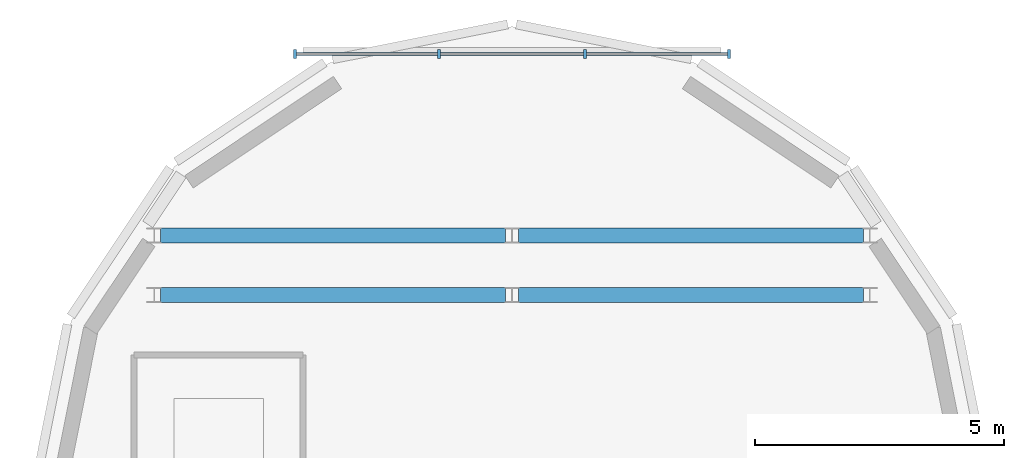
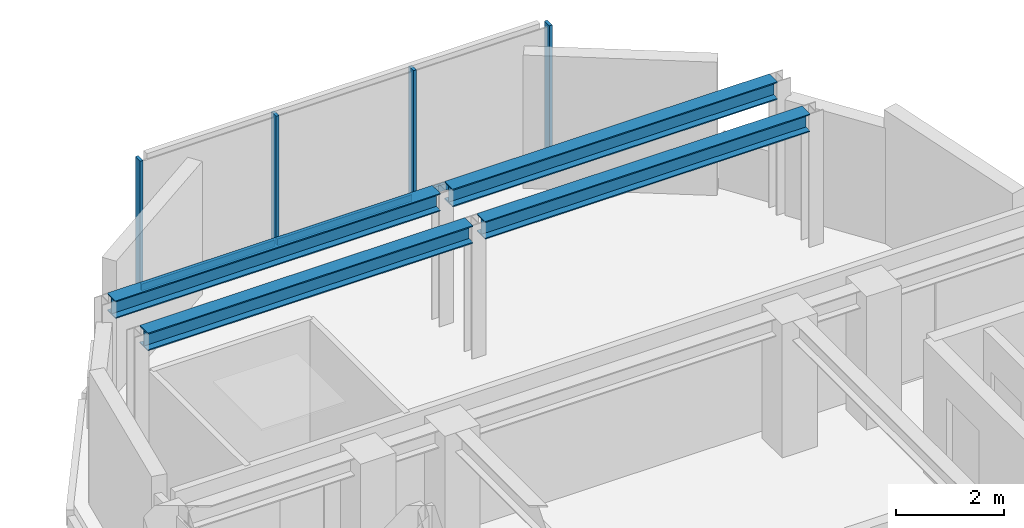
# One storey, part 5 of 10: 7 members, 4 beams, 1 element without a shape of its own.
"""IFC4 building model written with IfcOpenShell, lengths in metres."""

import ifcopenshell
import ifcopenshell.guid

model = None  # the IFC model being written
_history = None  # IfcOwnerHistory: only IFC2X3 demands one
_inside = {}  # id of a spatial element -> (the spatial element, [elements in it])
_under = {}  # id of a project, library or spatial element -> (it, [spatial elements below it])
_declared = {}  # id of a project -> (the project, [libraries it declares])
_typed = {}  # id of a type object -> (the type object, [elements of that type])
_made_of = {}  # id of a material, layer set ... -> (it, [elements and type objects made of it])


def new_model(schema):
    """Start an empty IFC model of exactly this schema.

    Asked for "IFC4X3", IfcOpenShell would pick the latest addendum, in which some entities
    have other attributes; the version numbers below select the first issue.
    IFC2X3 requires an IfcOwnerHistory on every rooted entity: one is made here for all.
    """
    global model, _history
    if schema == "IFC4X3":
        model = ifcopenshell.file(schema_version=(4, 3, 0, 0))
    else:
        model = ifcopenshell.file(schema=schema)
    _inside.clear()
    _under.clear()
    _declared.clear()
    _typed.clear()
    _made_of.clear()
    _history = None
    if model.schema == "IFC2X3":
        org = make("IfcOrganization", Name="unknown")
        user = make(
            "IfcPersonAndOrganization",
            ThePerson=make("IfcPerson", FamilyName="unknown"),
            TheOrganization=org,
        )
        app = make(
            "IfcApplication",
            ApplicationDeveloper=org,
            Version="unknown",
            ApplicationFullName="unknown",
            ApplicationIdentifier="unknown",
        )
        _history = make(
            "IfcOwnerHistory",
            OwningUser=user,
            OwningApplication=app,
            ChangeAction="ADDED",
            CreationDate=0,
        )
    return model


def make(cls, **values):
    """One entity of the class cls with the attributes given. An attribute that is None is left unset."""
    return model.create_entity(
        cls, **{name: value for name, value in values.items() if value is not None}
    )


def rooted(cls, **values):
    """An entity with a GlobalId (a new one), such as an element, a storey or a relation."""
    return make(cls, GlobalId=ifcopenshell.guid.new(), OwnerHistory=_history, **values)


def si_unit(unit_type, name, prefix=None):
    """IfcSIUnit, for example si_unit("LENGTHUNIT", "METRE", prefix="MILLI")."""
    return make("IfcSIUnit", UnitType=unit_type, Prefix=prefix, Name=name)


def assignment(units):
    """IfcUnitAssignment: the units of a project."""
    return None if units is None else make("IfcUnitAssignment", Units=units)


def point(xyz):
    """IfcCartesianPoint."""
    return None if xyz is None else make("IfcCartesianPoint", Coordinates=xyz)


def direction(xyz):
    """IfcDirection."""
    return None if xyz is None else make("IfcDirection", DirectionRatios=xyz)


def frame(location, z_axis=None, x_axis=None):
    """IfcAxis2Placement3D, a coordinate frame: its origin and axes. An axis left out is left unset."""
    return make(
        "IfcAxis2Placement3D",
        Location=point(location),
        Axis=direction(z_axis),
        RefDirection=direction(x_axis),
    )


def frame_2d(location, x_axis=None):
    """IfcAxis2Placement2D, a coordinate frame in the plane: its origin and x axis."""
    return make(
        "IfcAxis2Placement2D", Location=point(location), RefDirection=direction(x_axis)
    )


def origin():
    """The frame at (0, 0, 0) with its axes left unset."""
    return frame((0.0, 0.0, 0.0))


def origin_2d():
    """The frame at (0, 0) in the plane with its x axis left unset."""
    return frame_2d((0.0, 0.0))


def place(relative_to, where):
    """IfcLocalPlacement: puts the frame where relative to a parent placement (None: the world)."""
    return make(
        "IfcLocalPlacement", PlacementRelTo=relative_to, RelativePlacement=where
    )


def context(
    kind, dimensions, precision=None, world=None, true_north=None, identifier=None
):
    """IfcGeometricRepresentationContext, for example the 3D "Model" context."""
    return make(
        "IfcGeometricRepresentationContext",
        ContextIdentifier=identifier,
        ContextType=kind,
        CoordinateSpaceDimension=dimensions,
        Precision=precision,
        WorldCoordinateSystem=world,
        TrueNorth=true_north,
    )


def subcontext(parent, identifier, kind, view, scale=None):
    """IfcGeometricRepresentationSubContext, for example "Body" below "Model"."""
    return make(
        "IfcGeometricRepresentationSubContext",
        ContextIdentifier=identifier,
        ContextType=kind,
        ParentContext=parent,
        TargetScale=scale,
        TargetView=view,
    )


def project(units=None, contexts=None):
    """IfcProject with its units and contexts."""
    return rooted(
        "IfcProject",
        Name="project",
        RepresentationContexts=contexts,
        UnitsInContext=assignment(units),
    )


def spatial(cls, under=None, at=None, **own):
    """A site, building, storey or space (cls), placed at a placement, below another one or the project."""
    s = rooted(cls, ObjectPlacement=at, **own)
    if under is not None:
        _under.setdefault(under.id(), (under, []))[1].append(s)
    return s


def profile(cls, at=None, kind="AREA", **sizes):
    """A parametric profile (cls). Its sizes go by their IFC names, for example OverallWidth=200.0."""
    return make(cls, ProfileType=kind, Position=at, **sizes)


def rectangle(**sizes):
    """IfcRectangleProfileDef."""
    return profile("IfcRectangleProfileDef", **sizes)


def i_section(**sizes):
    """IfcIShapeProfileDef."""
    return profile("IfcIShapeProfileDef", **sizes)


def extrude(swept, where, along, depth):
    """IfcExtrudedAreaSolid: the profile swept, set in the frame where, extruded along a direction by depth."""
    return make(
        "IfcExtrudedAreaSolid",
        SweptArea=swept,
        Position=where,
        ExtrudedDirection=direction(along),
        Depth=depth,
    )


def shape(context_of_items, identifier, shape_type, items):
    """IfcShapeRepresentation: the items that make up one representation, for example the "Body"."""
    return make(
        "IfcShapeRepresentation",
        ContextOfItems=context_of_items,
        RepresentationIdentifier=identifier,
        RepresentationType=shape_type,
        Items=items,
    )


def source(mapping_origin, context_of_items, identifier, shape_type, items):
    """IfcRepresentationMap: a shape defined once, which mapped items show again and again."""
    return make(
        "IfcRepresentationMap",
        MappingOrigin=mapping_origin,
        MappedRepresentation=shape(context_of_items, identifier, shape_type, items),
    )


def transform(
    local_origin,
    x_axis=None,
    y_axis=None,
    z_axis=None,
    scale=None,
    scale2=None,
    scale3=None,
    uniform=True,
):
    """IfcCartesianTransformationOperator3D, or its non-uniform kind. x_axis, y_axis, z_axis: its Axis1, 2, 3."""
    if uniform:
        return make(
            "IfcCartesianTransformationOperator3D",
            Axis1=direction(x_axis),
            Axis2=direction(y_axis),
            LocalOrigin=point(local_origin),
            Scale=scale,
            Axis3=direction(z_axis),
        )
    return make(
        "IfcCartesianTransformationOperator3DnonUniform",
        Axis1=direction(x_axis),
        Axis2=direction(y_axis),
        LocalOrigin=point(local_origin),
        Scale=scale,
        Axis3=direction(z_axis),
        Scale2=scale2,
        Scale3=scale3,
    )


def mapped(mapping_source, mapping_target):
    """IfcMappedItem: shows the shape of a source again, moved by a transform."""
    return make(
        "IfcMappedItem", MappingSource=mapping_source, MappingTarget=mapping_target
    )


def material(Name=None, Category=None):
    """IfcMaterial."""
    return make("IfcMaterial", Name=Name, Category=Category)


def material_profile(
    of_material, cross_section, Name=None, Category=None, Priority=None
):
    """IfcMaterialProfile: a cross section and its material."""
    return make(
        "IfcMaterialProfile",
        Name=Name,
        Material=of_material,
        Profile=cross_section,
        Priority=Priority,
        Category=Category,
    )


def profile_set(profiles, Name=None, composite=None):
    """IfcMaterialProfileSet."""
    return make(
        "IfcMaterialProfileSet",
        Name=Name,
        MaterialProfiles=profiles,
        CompositeProfile=composite,
    )


def made_of(thing, what):
    """Note that an element or type object is made of a material, layer set ...; save() writes the relation."""
    if what is not None:
        _made_of.setdefault(what.id(), (what, []))[1].append(thing)
    return thing


def type_object(cls, material=None, **own):
    """A type object (cls), such as IfcWallType, which elements share."""
    return made_of(rooted(cls, **own), material)


def element(
    cls,
    number,
    at=None,
    inside=None,
    cuts=None,
    type_object=None,
    material=None,
    context=None,
    identifier="Body",
    shape_type=None,
    held_by="IfcProductDefinitionShape",
    body=None,
    shapes=None,
    **own,
):
    """One element of the class cls, such as IfcWall. Its Tag is "e" and its number.

    at: its placement. inside: the storey or other place that contains it. cuts: it is an
    opening in that element (IfcRelVoidsElement). A single representation is given by context,
    identifier, shape_type and body (its items); several are given by shapes. held_by: the class
    of the entity that holds the representations. save() writes the other relations.
    """
    e = rooted(cls, Tag="e%d" % number, ObjectPlacement=at, **own)
    if body is not None:
        shapes = [shape(context, identifier, shape_type, body)]
    if shapes is not None:
        e.Representation = make(held_by, Representations=shapes)
    if inside is not None:
        _inside.setdefault(inside.id(), (inside, []))[1].append(e)
    if cuts is not None:
        rooted(
            "IfcRelVoidsElement", RelatingBuildingElement=cuts, RelatedOpeningElement=e
        )
    if type_object is not None:
        _typed.setdefault(type_object.id(), (type_object, []))[1].append(e)
    return made_of(e, material)


def aggregate(whole, parts):
    """IfcRelAggregates: a whole, such as a stair, and the parts it consists of."""
    return rooted("IfcRelAggregates", RelatingObject=whole, RelatedObjects=parts)


def save(model, path):
    """Write the relations noted so far, then the file.

    IfcRelAggregates (storeys below a building ...), IfcRelContainedInSpatialStructure (elements
    in a storey), IfcRelDefinesByType, IfcRelAssociatesMaterial and IfcRelDeclares: one each for
    every whole, place, type object, material and project.
    """
    for whole, parts in _under.values():
        aggregate(whole, parts)
    for where, things in _inside.values():
        rooted(
            "IfcRelContainedInSpatialStructure",
            RelatedElements=things,
            RelatingStructure=where,
        )
    for kind, things in _typed.values():
        rooted("IfcRelDefinesByType", RelatedObjects=things, RelatingType=kind)
    for what, things in _made_of.values():
        rooted("IfcRelAssociatesMaterial", RelatedObjects=things, RelatingMaterial=what)
    for by, libraries in _declared.values():
        rooted("IfcRelDeclares", RelatingContext=by, RelatedDefinitions=libraries)
    model.write(path)


model = new_model("IFC4")

# Units and contexts
model_context = context("Model", 3, precision=1e-05, world=origin(), true_north=direction((0.0, 1.0)))
body_context = subcontext(model_context, "Body", "Model", "MODEL_VIEW")
ifc_project = project(units=[si_unit("LENGTHUNIT", "METRE"), si_unit("AREAUNIT", "SQUARE_METRE"), si_unit("VOLUMEUNIT", "CUBIC_METRE"), si_unit("PLANEANGLEUNIT", "RADIAN"), si_unit("MASSUNIT", "GRAM", prefix="KILO")], contexts=[model_context])

# Site, building, storey
site_placement = place(None, origin())
site = spatial("IfcSite", under=ifc_project, at=site_placement, CompositionType="ELEMENT")
building_placement = place(site_placement, origin())
building = spatial("IfcBuilding", under=site, at=building_placement, Name="Keilestroom Media Tower", CompositionType="ELEMENT")
storey_placement = place(building_placement, frame((0.0, 0.0, 262.0)))
storey = spatial("IfcBuildingStorey", under=building, at=storey_placement, Name="L73", CompositionType="ELEMENT", Elevation=262.0)

# Beams
ifc_material_1 = material(Name="Steel S355", Category="steel")
ifc_material_profile_1 = material_profile(ifc_material_1, i_section(OverallWidth=0.300048828125, OverallDepth=0.39990234375, WebThickness=0.011474609375, FlangeThickness=0.02392578125, at=origin_2d()), Name="HEB 400")
ifc_profile_set_1 = profile_set([ifc_material_profile_1], Name="Steel S355")
beam_type = type_object("IfcBeamType", Name="Primary-Structural-Girder-HEB-400", PredefinedType="BEAM", material=ifc_profile_set_1)
shared_shape_1 = source(origin(), body_context, "Body", "SweptSolid", [
    extrude(i_section(OverallWidth=0.300048828125, OverallDepth=0.39990234375, WebThickness=0.011474609375, FlangeThickness=0.02392578125, at=origin_2d()), origin(), (0.0, 0.0, 1.0), 6.940185546875),
])
for number, where, z_axis, x_axis, name in (
    (1, (-7.070068359375, 14.39990234375, 2.81005859375), (1.0, 0.0, 0.0), (0.0, 1.0, 0.0), "L73 Beam BG-8 BM-L73-EW-013"),
    (2, (0.1298828125, 14.39990234375, 2.81005859375), (1.0, 0.0, 0.0), (0.0, 1.0, 0.0), "L73 Beam BG-8 BM-L73-EW-014"),
    (3, (-7.070068359375, 15.60009765625, 2.81005859375), (1.0, 0.0, 0.0), (0.0, 1.0, 0.0), "L73 Beam BG-8 BM-L73-EW-015"),
    (4, (0.1298828125, 15.60009765625, 2.81005859375), (1.0, 0.0, 0.0), (0.0, 1.0, 0.0), "L73 Beam BG-8 BM-L73-EW-016"),
):
    element("IfcBeam", number, at=place(storey_placement, frame(where, z_axis=z_axis, x_axis=x_axis)), inside=storey, type_object=beam_type, Name=name, PredefinedType="BEAM", context=body_context, shape_type="MappedRepresentation", body=[
        mapped(shared_shape_1, transform((0.0, 0.0, 0.0), x_axis=(1.0, 0.0, 0.0), y_axis=(0.0, 1.0, 0.0), z_axis=(0.0, 0.0, 1.0), scale=1.0)),
    ])

# Curtain wall, members
ifc_material_2 = material(Name="Anodised Aluminium Alloy", Category="aluminium")
curtain_wall_type = type_object("IfcCurtainWallType", Name="Unitised-Curtain-Wall-CW-6", PredefinedType="NOTDEFINED", material=ifc_material_2)
curtain_wall_placement = place(storey_placement, origin())
curtain_wall = element("IfcCurtainWall", 5, at=curtain_wall_placement, inside=storey, type_object=curtain_wall_type, Name="L73 Curtain Wall CW-6 CW-L73-LN-1", PredefinedType="NOTDEFINED")
ifc_material_profile_2 = material_profile(ifc_material_2, rectangle(XDim=0.06494140625, YDim=0.179931640625, at=origin_2d()), Name="ALU MULLION 65x180")
ifc_profile_set_2 = profile_set([ifc_material_profile_2], Name="Anodised Aluminium Alloy")
member_type_1 = type_object("IfcMemberType", Name="Curtain-Wall-Mullion-CW-6", PredefinedType="MULLION", material=ifc_profile_set_2)
shared_shape_2 = source(origin(), body_context, "Body", "SweptSolid", [
    extrude(rectangle(XDim=0.06494140625, YDim=0.179931640625, at=origin_2d()), origin(), (0.0, 0.0, 1.0), 2.97998046875),
])
member_1_placement = place(storey_placement, frame((-4.367431640625, 19.25, 0.0), z_axis=(0.0, 0.0, 1.0), x_axis=(1.0, 0.0, 0.0)))
member_1 = element("IfcMember", 6, at=member_1_placement, type_object=member_type_1, Name="CW-6 Mullion 00", PredefinedType="MULLION", context=body_context, shape_type="MappedRepresentation", body=[
    mapped(shared_shape_2, transform((0.0, 0.0, 0.0), x_axis=(1.0, 0.0, 0.0), y_axis=(0.0, 1.0, 0.0), z_axis=(0.0, 0.0, 1.0), scale=1.0)),
])
member_2_placement = place(storey_placement, frame((-1.466796875, 19.25, 0.0), z_axis=(0.0, 0.0, 1.0), x_axis=(1.0, 0.0, 0.0)))
member_2 = element("IfcMember", 7, at=member_2_placement, type_object=member_type_1, Name="CW-6 Mullion 01", PredefinedType="MULLION", context=body_context, shape_type="MappedRepresentation", body=[
    mapped(shared_shape_2, transform((0.0, 0.0, 0.0), x_axis=(1.0, 0.0, 0.0), y_axis=(0.0, 1.0, 0.0), z_axis=(0.0, 0.0, 1.0), scale=1.0)),
])
member_3_placement = place(storey_placement, frame((1.466796875, 19.25, 0.0), z_axis=(0.0, 0.0, 1.0), x_axis=(1.0, 0.0, 0.0)))
member_3 = element("IfcMember", 8, at=member_3_placement, type_object=member_type_1, Name="CW-6 Mullion 02", PredefinedType="MULLION", context=body_context, shape_type="MappedRepresentation", body=[
    mapped(shared_shape_2, transform((0.0, 0.0, 0.0), x_axis=(1.0, 0.0, 0.0), y_axis=(0.0, 1.0, 0.0), z_axis=(0.0, 0.0, 1.0), scale=1.0)),
])
member_4_placement = place(storey_placement, frame((4.367431640625, 19.25, 0.0), z_axis=(0.0, 0.0, 1.0), x_axis=(1.0, 0.0, 0.0)))
member_4 = element("IfcMember", 9, at=member_4_placement, type_object=member_type_1, Name="CW-6 Mullion 03", PredefinedType="MULLION", context=body_context, shape_type="MappedRepresentation", body=[
    mapped(shared_shape_2, transform((0.0, 0.0, 0.0), x_axis=(1.0, 0.0, 0.0), y_axis=(0.0, 1.0, 0.0), z_axis=(0.0, 0.0, 1.0), scale=1.0)),
])
ifc_material_profile_3 = material_profile(ifc_material_2, rectangle(XDim=0.06494140625, YDim=0.14990234375, at=origin_2d()), Name="ALU TRANSOM 65x150")
ifc_profile_set_3 = profile_set([ifc_material_profile_3], Name="Anodised Aluminium Alloy")
member_type_2 = type_object("IfcMemberType", Name="Curtain-Wall-Transom-CW-6", PredefinedType="USERDEFINED", material=ifc_profile_set_3)
shared_shape_3 = source(origin(), body_context, "Body", "SweptSolid", [
    extrude(rectangle(XDim=0.06494140625, YDim=0.14990234375, at=origin_2d()), origin(), (0.0, 0.0, 1.0), 2.839599609375),
])
member_5_placement = place(storey_placement, frame((-4.3369140625, 19.25, 0.074951171875), z_axis=(1.0, 0.0, 0.0), x_axis=(0.0, 1.0, 0.0)))
member_5 = element("IfcMember", 10, at=member_5_placement, type_object=member_type_2, Name="CW-6 Transom 00.1", ObjectType="TRANSOM", PredefinedType="USERDEFINED", context=body_context, shape_type="MappedRepresentation", body=[
    mapped(shared_shape_3, transform((0.0, 0.0, 0.0), x_axis=(1.0, 0.0, 0.0), y_axis=(0.0, 1.0, 0.0), z_axis=(0.0, 0.0, 1.0), scale=1.0)),
])
member_6_placement = place(storey_placement, frame((1.497314453125, 19.25, 0.074951171875), z_axis=(1.0, 0.0, 0.0), x_axis=(0.0, 1.0, 0.0)))
member_6 = element("IfcMember", 11, at=member_6_placement, type_object=member_type_2, Name="CW-6 Transom 02.1", ObjectType="TRANSOM", PredefinedType="USERDEFINED", context=body_context, shape_type="MappedRepresentation", body=[
    mapped(shared_shape_3, transform((0.0, 0.0, 0.0), x_axis=(1.0, 0.0, 0.0), y_axis=(0.0, 1.0, 0.0), z_axis=(0.0, 0.0, 1.0), scale=1.0)),
])
shared_shape_4 = source(origin(), body_context, "Body", "SweptSolid", [
    extrude(rectangle(XDim=0.06494140625, YDim=0.14990234375, at=origin_2d()), origin(), (0.0, 0.0, 1.0), 2.87255859375),
])
member_7_placement = place(storey_placement, frame((-1.436279296875, 19.25, 0.074951171875), z_axis=(1.0, 0.0, 0.0), x_axis=(0.0, 1.0, 0.0)))
member_7 = element("IfcMember", 12, at=member_7_placement, type_object=member_type_2, Name="CW-6 Transom 01.1", ObjectType="TRANSOM", PredefinedType="USERDEFINED", context=body_context, shape_type="MappedRepresentation", body=[
    mapped(shared_shape_4, transform((0.0, 0.0, 0.0), x_axis=(1.0, 0.0, 0.0), y_axis=(0.0, 1.0, 0.0), z_axis=(0.0, 0.0, 1.0), scale=1.0)),
])
aggregate(curtain_wall, [member_1, member_2, member_3, member_4, member_5, member_7, member_6])

save(model, "model.ifc")
